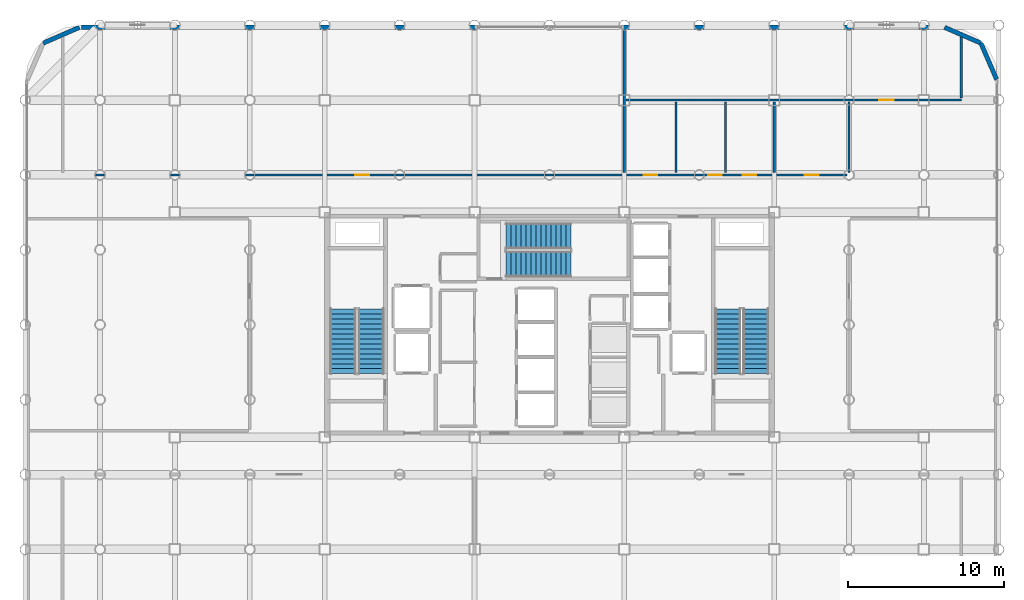
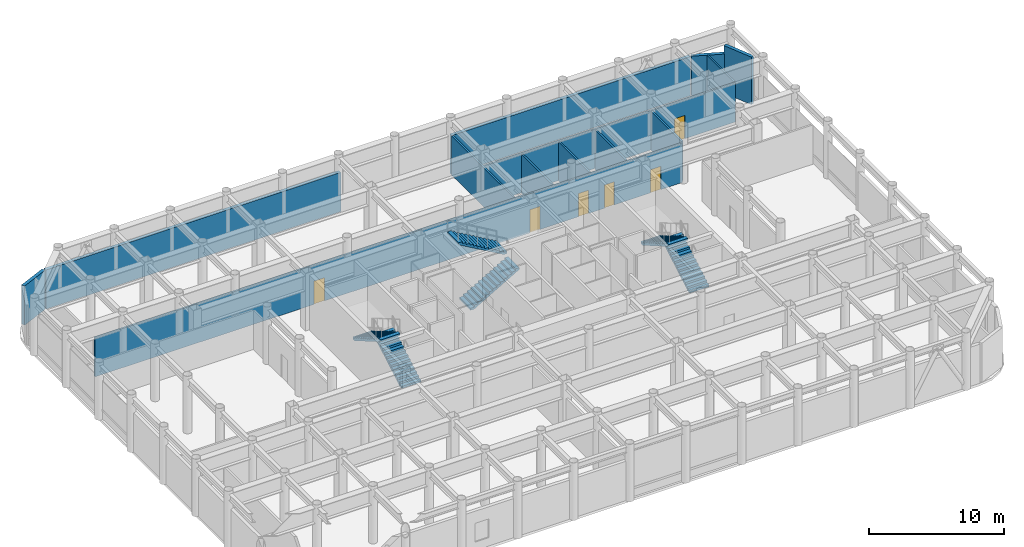
# One storey, part 18 of 20: 13 walls, 6 doors, 6 stair flights, 6 openings, 3 elements without a shape of their own.
"""IFC4 building model written with IfcOpenShell, lengths in metres."""

from ifc_helpers import new_model, si_unit, direction, frame, frame_2d, origin, place, context, subcontext, project, spatial, polyline, rectangle, outline, extrude, material, layer, layer_set, type_object, element, fill, aggregate, save


model = new_model("IFC4")

# Units and contexts
model_context = context("Model", 3, precision=1e-05, world=origin(), true_north=direction((0.0, 1.0)))
body_context = subcontext(model_context, "Body", "Model", "MODEL_VIEW")
ifc_project = project(units=[si_unit("LENGTHUNIT", "METRE"), si_unit("AREAUNIT", "SQUARE_METRE"), si_unit("VOLUMEUNIT", "CUBIC_METRE"), si_unit("PLANEANGLEUNIT", "RADIAN"), si_unit("MASSUNIT", "GRAM", prefix="KILO")], contexts=[model_context])

# Site, building, storey
site_placement = place(None, origin())
site = spatial("IfcSite", under=ifc_project, at=site_placement, CompositionType="ELEMENT")
building_placement = place(site_placement, origin())
building = spatial("IfcBuilding", under=site, at=building_placement, Name="Kallvorn Hotel Tower", CompositionType="ELEMENT")
storey_placement = place(building_placement, frame((0.0, 0.0, 180.300048828125)))
storey = spatial("IfcBuildingStorey", under=building, at=storey_placement, Name="L45", CompositionType="ELEMENT", Elevation=180.300048828125)

# Walls
ifc_material_1 = material(Name="Precast basalt-clad insulated concrete wall C40/50", Category="masonry")
ifc_layer_1 = layer(ifc_material_1, 0.280029296875)
ifc_layer_set_1 = layer_set([ifc_layer_1], Name="WL_EXT_LOGGIA_280")
wall_type_1 = type_object("IfcWallType", Name="WL_EXT_LOGGIA_280", PredefinedType="SOLIDWALL", material=ifc_layer_set_1)
wall_1_placement = place(storey_placement, frame((28.657958984375, 15.720703125, 0.0), z_axis=(0.0, 0.0, 1.0), x_axis=(-0.398792985289, 0.917040977756, 0.0)))
element("IfcWall", 1, at=wall_1_placement, inside=storey, type_object=wall_type_1, Name="L45 Rounded Corner Exterior Wall NE1", PredefinedType="SOLIDWALL", context=body_context, shape_type="SweptSolid", body=[
    extrude(rectangle(XDim=2.536376953125, YDim=0.280029296875, at=frame_2d((1.26806640625, 0.0))), origin(), (0.0, 0.0, 1.0), 4.300048828125),
])
for number, where, z_axis, x_axis, name in (
    (2, (27.646484375, 18.046630859375, 0.0), (0.0, 0.0, 1.0), (-0.917060872934, 0.398747232384, 0.0), "L45 Rounded Corner Exterior Wall NE2"),
    (3, (-30.120849609375, 19.057861328125, 0.0), (0.0, 0.0, 1.0), (-0.917060872934, -0.398747232384, 0.0), "L45 Rounded Corner Exterior Wall NW1"),
):
    element("IfcWall", number, at=place(storey_placement, frame(where, z_axis=z_axis, x_axis=x_axis)), inside=storey, type_object=wall_type_1, Name=name, PredefinedType="SOLIDWALL", context=body_context, shape_type="SweptSolid", body=[
        extrude(rectangle(XDim=2.5361328125, YDim=0.280029296875, at=frame_2d((1.26806640625, 0.0))), origin(), (0.0, 0.0, 1.0), 3.550048828125),
    ])
wall_2_placement = place(storey_placement, frame((-30.0, 19.06005859375, 0.0), z_axis=(0.0, 0.0, 1.0), x_axis=(1.0, 0.0, 0.0)))
element("IfcWall", 4, at=wall_2_placement, inside=storey, type_object=wall_type_1, Name="L45 Exterior Envelope Wall EW-L45-NW", PredefinedType="SOLIDWALL", context=body_context, shape_type="SweptSolid", body=[
    extrude(rectangle(XDim=25.25, YDim=0.280029296875, at=frame_2d((12.625, 0.0))), origin(), (0.0, 0.0, 1.0), 3.550048828125),
])
wall_3_placement = place(storey_placement, frame((4.75, 19.06005859375, 0.0), z_axis=(0.0, 0.0, 1.0), x_axis=(1.0, 0.0, 0.0)))
element("IfcWall", 5, at=wall_3_placement, inside=storey, type_object=wall_type_1, Name="L45 Exterior Envelope Wall EW-L45-NE", PredefinedType="SOLIDWALL", context=body_context, shape_type="SweptSolid", body=[
    extrude(rectangle(XDim=20.449951171875, YDim=0.280029296875, at=frame_2d((10.22509765625, 0.0))), origin(), (0.0, 0.0, 1.0), 3.550048828125),
])

# Wall, openings, doors
ifc_material_2 = material(Name="Fire-rated double-layer acoustic gypsum drywall EI 60")
ifc_layer_2 = layer(ifc_material_2, 0.14990234375)
ifc_layer_set_2 = layer_set([ifc_layer_2], Name="WL_PART_150")
wall_type_2 = type_object("IfcWallType", Name="WL_PART_150", PredefinedType="PARTITIONING", material=ifc_layer_set_2)
wall_4_placement = place(storey_placement, frame((-31.199951171875, 9.60009765625, 0.0), z_axis=(0.0, 0.0, 1.0), x_axis=(1.0, 0.0, 0.0)))
wall_4 = element("IfcWall", 6, at=wall_4_placement, inside=storey, type_object=wall_type_2, Name="L45 Executive Club Library and Conference Hall Partition", PredefinedType="PARTITIONING", context=body_context, shape_type="SweptSolid", body=[
    extrude(rectangle(XDim=50.280029296875, YDim=0.14990234375, at=frame_2d((25.14013671875, 0.0))), origin(), (0.0, 0.0, 1.0), 3.550048828125),
])
opening_1_placement = place(wall_4_placement, frame((18.75, 0.0, 0.0)))
opening_1 = element("IfcOpeningElement", 7, at=opening_1_placement, cuts=wall_4, Name="Opening SVD1", PredefinedType="OPENING", context=body_context, shape_type="SweptSolid", body=[
    extrude(rectangle(XDim=0.89990234375, YDim=2.10009765625, at=frame_2d((0.449951171875, 1.050048828125))), frame((0.0, 0.08984375, 0.0), z_axis=(0.0, -1.0, 0.0), x_axis=(1.0, 0.0, 0.0)), (0.0, 0.0, 1.0), 0.179931640625),
])
opening_2_placement = place(wall_4_placement, frame((37.240966796875, 0.0, 0.0)))
opening_2 = element("IfcOpeningElement", 8, at=opening_2_placement, cuts=wall_4, Name="Opening BD-I", PredefinedType="OPENING", context=body_context, shape_type="SweptSolid", body=[
    extrude(rectangle(XDim=0.860107421875, YDim=2.10009765625, at=frame_2d((0.43017578125, 1.050048828125))), frame((0.0, 0.08984375, 0.0), z_axis=(0.0, -1.0, 0.0), x_axis=(1.0, 0.0, 0.0)), (0.0, 0.0, 1.0), 0.179931640625),
])
opening_3_placement = place(wall_4_placement, frame((41.385009765625, 0.0, 0.0)))
opening_3 = element("IfcOpeningElement", 9, at=opening_3_placement, cuts=wall_4, Name="Opening BD-I", PredefinedType="OPENING", context=body_context, shape_type="SweptSolid", body=[
    extrude(rectangle(XDim=0.860107421875, YDim=2.10009765625, at=frame_2d((0.43017578125, 1.050048828125))), frame((0.0, 0.08984375, 0.0), z_axis=(0.0, -1.0, 0.0), x_axis=(1.0, 0.0, 0.0)), (0.0, 0.0, 1.0), 0.179931640625),
])
opening_4_placement = place(wall_4_placement, frame((43.592041015625, 0.0, 0.0)))
opening_4 = element("IfcOpeningElement", 10, at=opening_4_placement, cuts=wall_4, Name="Opening BD-I", PredefinedType="OPENING", context=body_context, shape_type="SweptSolid", body=[
    extrude(rectangle(XDim=0.860107421875, YDim=2.10009765625, at=frame_2d((0.43017578125, 1.050048828125))), frame((0.0, 0.08984375, 0.0), z_axis=(0.0, -1.0, 0.0), x_axis=(1.0, 0.0, 0.0)), (0.0, 0.0, 1.0), 0.179931640625),
])
opening_5_placement = place(wall_4_placement, frame((47.550048828125, 0.0, 0.0)))
opening_5 = element("IfcOpeningElement", 11, at=opening_5_placement, cuts=wall_4, Name="Opening SVD1", PredefinedType="OPENING", context=body_context, shape_type="SweptSolid", body=[
    extrude(rectangle(XDim=0.89990234375, YDim=2.10009765625, at=frame_2d((0.449951171875, 1.050048828125))), frame((0.0, 0.08984375, 0.0), z_axis=(0.0, -1.0, 0.0), x_axis=(1.0, 0.0, 0.0)), (0.0, 0.0, 1.0), 0.179931640625),
])
ifc_material_3 = material(Name="Solid-core walnut veneer fire-rated timber door leaf", Category="wood")
door_type_1 = type_object("IfcDoorType", Name="DR_BATH_860x2100", OperationType="NOTDEFINED", PredefinedType="DOOR", material=ifc_material_3)
door_1_placement = place(opening_2_placement, origin())
door_1 = element("IfcDoor", 12, at=door_1_placement, inside=storey, type_object=door_type_1, Name="L45 Public Male Restroom WC Door", OperationType="SINGLE_SWING_LEFT", OverallHeight=2.10009765625, OverallWidth=0.860107421875, PredefinedType="DOOR", context=body_context, shape_type="SweptSolid", body=[
    extrude(rectangle(XDim=0.860107421875, YDim=2.10009765625, at=frame_2d((0.43017578125, 1.050048828125))), frame((0.0, 0.02490234375, 0.0), z_axis=(0.0, -1.0, 0.0), x_axis=(1.0, 0.0, 0.0)), (0.0, 0.0, 1.0), 0.050048828125),
])
fill(opening_2, door_1)
door_2_placement = place(opening_3_placement, origin())
door_2 = element("IfcDoor", 13, at=door_2_placement, inside=storey, type_object=door_type_1, Name="L45 Public Female Restroom WC Door", OperationType="SINGLE_SWING_RIGHT", OverallHeight=2.10009765625, OverallWidth=0.860107421875, PredefinedType="DOOR", context=body_context, shape_type="SweptSolid", body=[
    extrude(rectangle(XDim=0.860107421875, YDim=2.10009765625, at=frame_2d((0.43017578125, 1.050048828125))), frame((0.0, 0.02490234375, 0.0), z_axis=(0.0, -1.0, 0.0), x_axis=(1.0, 0.0, 0.0)), (0.0, 0.0, 1.0), 0.050048828125),
])
fill(opening_3, door_2)
door_3_placement = place(opening_4_placement, origin())
door_3 = element("IfcDoor", 14, at=door_3_placement, inside=storey, type_object=door_type_1, Name="L45 Accessible Restroom WC Door", OperationType="SINGLE_SWING_RIGHT", OverallHeight=2.10009765625, OverallWidth=0.860107421875, PredefinedType="DOOR", context=body_context, shape_type="SweptSolid", body=[
    extrude(rectangle(XDim=0.860107421875, YDim=2.10009765625, at=frame_2d((0.43017578125, 1.050048828125))), frame((0.0, 0.02490234375, 0.0), z_axis=(0.0, -1.0, 0.0), x_axis=(1.0, 0.0, 0.0)), (0.0, 0.0, 1.0), 0.050048828125),
])
fill(opening_4, door_3)
ifc_material_4 = material(Name="Galvanised painted steel fire-rated door assembly", Category="steel")
door_type_2 = type_object("IfcDoorType", Name="DR_SERV_900x2100", OperationType="NOTDEFINED", PredefinedType="DOOR", material=ifc_material_4)
door_4_placement = place(opening_1_placement, origin())
door_4 = element("IfcDoor", 15, at=door_4_placement, inside=storey, type_object=door_type_2, Name="L45 Executive Club Library and Conference Hall Door", OperationType="SINGLE_SWING_RIGHT", OverallHeight=2.10009765625, OverallWidth=0.89990234375, PredefinedType="DOOR", context=body_context, shape_type="SweptSolid", body=[
    extrude(rectangle(XDim=0.89990234375, YDim=2.10009765625, at=frame_2d((0.449951171875, 1.050048828125))), frame((0.0, 0.02490234375, 0.0), z_axis=(0.0, -1.0, 0.0), x_axis=(1.0, 0.0, 0.0)), (0.0, 0.0, 1.0), 0.050048828125),
])
fill(opening_1, door_4)
door_5_placement = place(opening_5_placement, origin())
door_5 = element("IfcDoor", 16, at=door_5_placement, inside=storey, type_object=door_type_2, Name="L45 Central Sky Bar Catering Kitchen Door", OperationType="SINGLE_SWING_LEFT", OverallHeight=2.10009765625, OverallWidth=0.89990234375, PredefinedType="DOOR", context=body_context, shape_type="SweptSolid", body=[
    extrude(rectangle(XDim=0.89990234375, YDim=2.10009765625, at=frame_2d((0.449951171875, 1.050048828125))), frame((0.0, 0.02490234375, 0.0), z_axis=(0.0, -1.0, 0.0), x_axis=(1.0, 0.0, 0.0)), (0.0, 0.0, 1.0), 0.050048828125),
])
fill(opening_5, door_5)

# Wall, opening, door
wall_5_placement = place(storey_placement, frame((4.919921875, 14.39990234375, 0.0), z_axis=(0.0, 0.0, 1.0), x_axis=(1.0, 0.0, 0.0)))
wall_5 = element("IfcWall", 17, at=wall_5_placement, inside=storey, type_object=wall_type_2, Name="L45 Sky Bar Wine and Glassware Store Partition", PredefinedType="PARTITIONING", context=body_context, shape_type="SweptSolid", body=[
    extrude(rectangle(XDim=21.47998046875, YDim=0.14990234375, at=frame_2d((10.739990234375, 0.0))), origin(), (0.0, 0.0, 1.0), 3.550048828125),
])
opening_6_placement = place(wall_5_placement, frame((16.22998046875, 0.0, 0.0)))
opening_6 = element("IfcOpeningElement", 18, at=opening_6_placement, cuts=wall_5, Name="Opening SVD1", PredefinedType="OPENING", context=body_context, shape_type="SweptSolid", body=[
    extrude(rectangle(XDim=0.89990234375, YDim=2.10009765625, at=frame_2d((0.449951171875, 1.050048828125))), frame((0.0, 0.08984375, 0.0), z_axis=(0.0, -1.0, 0.0), x_axis=(1.0, 0.0, 0.0)), (0.0, 0.0, 1.0), 0.179931640625),
])
door_6_placement = place(opening_6_placement, origin())
door_6 = element("IfcDoor", 19, at=door_6_placement, inside=storey, type_object=door_type_2, Name="L45 Sky Bar Wine and Glassware Store Door", OperationType="SINGLE_SWING_LEFT", OverallHeight=2.10009765625, OverallWidth=0.89990234375, PredefinedType="DOOR", context=body_context, shape_type="SweptSolid", body=[
    extrude(rectangle(XDim=0.89990234375, YDim=2.10009765625, at=frame_2d((0.449951171875, 1.050048828125))), frame((0.0, 0.02490234375, 0.0), z_axis=(0.0, -1.0, 0.0), x_axis=(1.0, 0.0, 0.0)), (0.0, 0.0, 1.0), 0.050048828125),
])
fill(opening_6, door_6)

# Walls
wall_6_placement = place(storey_placement, frame((4.800048828125, 9.75, 0.0), z_axis=(0.0, 0.0, 1.0), x_axis=(0.0, 1.0, 0.0)))
element("IfcWall", 20, at=wall_6_placement, inside=storey, type_object=wall_type_2, Name="L45 Executive Club Library and Conference Hall Partition", PredefinedType="PARTITIONING", context=body_context, shape_type="SweptSolid", body=[
    extrude(rectangle(XDim=9.159912109375, YDim=0.14990234375, at=frame_2d((4.580078125, 0.0))), origin(), (0.0, 0.0, 1.0), 3.550048828125),
])
for number, where, z_axis, x_axis, name in (
    (21, (14.39990234375, 9.75, 0.0), (0.0, 0.0, 1.0), (0.0, 1.0, 0.0), "L45 Central Sky Bar Catering Kitchen Partition"),
    (22, (19.199951171875, 9.75, 0.0), (0.0, 0.0, 1.0), (0.0, 1.0, 0.0), "L45 Central Sky Bar Catering Kitchen Partition"),
):
    element("IfcWall", number, at=place(storey_placement, frame(where, z_axis=z_axis, x_axis=x_axis)), inside=storey, type_object=wall_type_2, Name=name, PredefinedType="PARTITIONING", context=body_context, shape_type="SweptSolid", body=[
        extrude(rectangle(XDim=4.530029296875, YDim=0.14990234375, at=frame_2d((2.26513671875, 0.0))), origin(), (0.0, 0.0, 1.0), 3.550048828125),
    ])
wall_7_placement = place(storey_placement, frame((26.39990234375, 14.52001953125, 0.0), z_axis=(0.0, 0.0, 1.0), x_axis=(0.0, 1.0, 0.0)))
element("IfcWall", 23, at=wall_7_placement, inside=storey, type_object=wall_type_2, Name="L45 Sky Bar Wine and Glassware Store Partition", PredefinedType="PARTITIONING", context=body_context, shape_type="SweptSolid", body=[
    extrude(rectangle(XDim=3.918701171875, YDim=0.14990234375, at=frame_2d((1.95947265625, 0.0))), origin(), (0.0, 0.0, 1.0), 3.550048828125),
])
ifc_material_5 = material(Name="Moisture-resistant acoustic plumbing chase wall EI 60")
ifc_layer_3 = layer(ifc_material_5, 0.139892578125)
ifc_layer_set_3 = layer_set([ifc_layer_3], Name="WL_PLUMB_140")
wall_type_3 = type_object("IfcWallType", Name="WL_PLUMB_140", PredefinedType="PLUMBINGWALL", material=ifc_layer_set_3)
for number, where, z_axis, x_axis, name in (
    (24, (8.10205078125, 9.75, 0.0), (0.0, 0.0, 1.0), (0.0, 1.0, 0.0), "L45 Public Female Restroom WC Partition"),
    (25, (11.284912109375, 9.75, 0.0), (0.0, 0.0, 1.0), (0.0, 1.0, 0.0), "L45 Accessible Restroom WC Partition"),
):
    element("IfcWall", number, at=place(storey_placement, frame(where, z_axis=z_axis, x_axis=x_axis)), inside=storey, type_object=wall_type_3, Name=name, PredefinedType="PLUMBINGWALL", context=body_context, shape_type="SweptSolid", body=[
        extrude(rectangle(XDim=4.530029296875, YDim=0.139892578125, at=frame_2d((2.26513671875, 0.0))), origin(), (0.0, 0.0, 1.0), 3.550048828125),
    ])

# Stair, stair flights
ifc_material_6 = material(Name="Precast concrete C40/50", Category="concrete")
stair_type = type_object("IfcStairType", Name="STR_CORE_DOGLEG", PredefinedType="HALF_TURN_STAIR", material=ifc_material_6)
stair_1_placement = place(storey_placement, origin())
stair_1 = element("IfcStair", 26, at=stair_1_placement, inside=storey, type_object=stair_type, Name="L45 Exit stair ST1", PredefinedType="HALF_TURN_STAIR")
ifc_material_7 = material(Name="Precast concrete C40/50", Category="concrete")
stair_flight_type = type_object("IfcStairFlightType", Name="FLT_CORE_1660", PredefinedType="STRAIGHT", material=ifc_material_7)
stair_flight_1_placement = place(storey_placement, frame((-11.429931640625, -3.139892578125, 0.0), z_axis=(0.0, 0.0, 1.0), x_axis=(0.0, 1.0, 0.0)))
stair_flight_1 = element("IfcStairFlight", 27, at=stair_flight_1_placement, type_object=stair_flight_type, Name="ST1 flight 1", NumberOfRisers=14, NumberOfTreads=13, PredefinedType="STRAIGHT", RiserHeight=0.185714286, TreadLength=0.32, context=body_context, shape_type="SweptSolid", body=[
    extrude(outline(polyline([(0.0, 0.0), (0.0, 0.185791015625), (0.320068359375, 0.185791015625), (0.320068359375, 0.371337890625), (0.639892578125, 0.371337890625), (0.639892578125, 0.55712890625), (0.9599609375, 0.55712890625), (0.9599609375, 0.742919921875), (1.280029296875, 0.742919921875), (1.280029296875, 0.928466796875), (1.60009765625, 0.928466796875), (1.60009765625, 1.1142578125), (1.919921875, 1.1142578125), (1.919921875, 1.300048828125), (2.239990234375, 1.300048828125), (2.239990234375, 1.485595703125), (2.56005859375, 1.485595703125), (2.56005859375, 1.67138671875), (2.8798828125, 1.67138671875), (2.8798828125, 1.857177734375), (3.199951171875, 1.857177734375), (3.199951171875, 2.04296875), (3.52001953125, 2.04296875), (3.52001953125, 2.228515625), (3.840087890625, 2.228515625), (3.840087890625, 2.414306640625), (4.159912109375, 2.414306640625), (4.159912109375, 2.60009765625), (4.159912109375, 2.240966796875), (0.298583984375, 0.0), (0.0, 0.0)])), frame((0.0, 0.830078125, 0.0), z_axis=(0.0, -1.0, 0.0), x_axis=(1.0, 0.0, 0.0)), (0.0, 0.0, 1.0), 1.659912109375),
])
stair_flight_2_placement = place(storey_placement, frame((-13.22998046875, 1.02001953125, 2.599853515625), z_axis=(0.0, 0.0, 1.0), x_axis=(0.0, -1.0, 0.0)))
stair_flight_2 = element("IfcStairFlight", 28, at=stair_flight_2_placement, type_object=stair_flight_type, Name="ST1 flight 2", NumberOfRisers=14, NumberOfTreads=13, PredefinedType="STRAIGHT", RiserHeight=0.185714286, TreadLength=0.32, context=body_context, shape_type="SweptSolid", body=[
    extrude(outline(polyline([(0.0, 0.0), (0.0, 0.185791015625), (0.320068359375, 0.185791015625), (0.320068359375, 0.371337890625), (0.639892578125, 0.371337890625), (0.639892578125, 0.55712890625), (0.9599609375, 0.55712890625), (0.9599609375, 0.742919921875), (1.280029296875, 0.742919921875), (1.280029296875, 0.928466796875), (1.60009765625, 0.928466796875), (1.60009765625, 1.1142578125), (1.919921875, 1.1142578125), (1.919921875, 1.300048828125), (2.239990234375, 1.300048828125), (2.239990234375, 1.485595703125), (2.56005859375, 1.485595703125), (2.56005859375, 1.67138671875), (2.8798828125, 1.67138671875), (2.8798828125, 1.857177734375), (3.199951171875, 1.857177734375), (3.199951171875, 2.04296875), (3.52001953125, 2.04296875), (3.52001953125, 2.228515625), (3.840087890625, 2.228515625), (3.840087890625, 2.414306640625), (4.159912109375, 2.414306640625), (4.159912109375, 2.60009765625), (4.159912109375, 2.240966796875), (0.298583984375, 0.0), (0.0, 0.0)])), frame((0.0, 0.830078125, 0.0), z_axis=(0.0, -1.0, 0.0), x_axis=(1.0, 0.0, 0.0)), (0.0, 0.0, 1.0), 1.659912109375),
])
aggregate(stair_1, [stair_flight_1, stair_flight_2])

stair_2_placement = place(storey_placement, origin())
stair_2 = element("IfcStair", 29, at=stair_2_placement, inside=storey, type_object=stair_type, Name="L45 Exit stair ST2", PredefinedType="HALF_TURN_STAIR")
stair_flight_3_placement = place(storey_placement, frame((13.22998046875, -3.139892578125, 0.0), z_axis=(0.0, 0.0, 1.0), x_axis=(0.0, 1.0, 0.0)))
stair_flight_3 = element("IfcStairFlight", 30, at=stair_flight_3_placement, type_object=stair_flight_type, Name="ST2 flight 1", NumberOfRisers=14, NumberOfTreads=13, PredefinedType="STRAIGHT", RiserHeight=0.185714286, TreadLength=0.32, context=body_context, shape_type="SweptSolid", body=[
    extrude(outline(polyline([(0.0, 0.0), (0.0, 0.185791015625), (0.320068359375, 0.185791015625), (0.320068359375, 0.371337890625), (0.639892578125, 0.371337890625), (0.639892578125, 0.55712890625), (0.9599609375, 0.55712890625), (0.9599609375, 0.742919921875), (1.280029296875, 0.742919921875), (1.280029296875, 0.928466796875), (1.60009765625, 0.928466796875), (1.60009765625, 1.1142578125), (1.919921875, 1.1142578125), (1.919921875, 1.300048828125), (2.239990234375, 1.300048828125), (2.239990234375, 1.485595703125), (2.56005859375, 1.485595703125), (2.56005859375, 1.67138671875), (2.8798828125, 1.67138671875), (2.8798828125, 1.857177734375), (3.199951171875, 1.857177734375), (3.199951171875, 2.04296875), (3.52001953125, 2.04296875), (3.52001953125, 2.228515625), (3.840087890625, 2.228515625), (3.840087890625, 2.414306640625), (4.159912109375, 2.414306640625), (4.159912109375, 2.60009765625), (4.159912109375, 2.240966796875), (0.298583984375, 0.0), (0.0, 0.0)])), frame((0.0, 0.830078125, 0.0), z_axis=(0.0, -1.0, 0.0), x_axis=(1.0, 0.0, 0.0)), (0.0, 0.0, 1.0), 1.659912109375),
])
stair_flight_4_placement = place(storey_placement, frame((11.429931640625, 1.02001953125, 2.599853515625), z_axis=(0.0, 0.0, 1.0), x_axis=(0.0, -1.0, 0.0)))
stair_flight_4 = element("IfcStairFlight", 31, at=stair_flight_4_placement, type_object=stair_flight_type, Name="ST2 flight 2", NumberOfRisers=14, NumberOfTreads=13, PredefinedType="STRAIGHT", RiserHeight=0.185714286, TreadLength=0.32, context=body_context, shape_type="SweptSolid", body=[
    extrude(outline(polyline([(0.0, 0.0), (0.0, 0.185791015625), (0.320068359375, 0.185791015625), (0.320068359375, 0.371337890625), (0.639892578125, 0.371337890625), (0.639892578125, 0.55712890625), (0.9599609375, 0.55712890625), (0.9599609375, 0.742919921875), (1.280029296875, 0.742919921875), (1.280029296875, 0.928466796875), (1.60009765625, 0.928466796875), (1.60009765625, 1.1142578125), (1.919921875, 1.1142578125), (1.919921875, 1.300048828125), (2.239990234375, 1.300048828125), (2.239990234375, 1.485595703125), (2.56005859375, 1.485595703125), (2.56005859375, 1.67138671875), (2.8798828125, 1.67138671875), (2.8798828125, 1.857177734375), (3.199951171875, 1.857177734375), (3.199951171875, 2.04296875), (3.52001953125, 2.04296875), (3.52001953125, 2.228515625), (3.840087890625, 2.228515625), (3.840087890625, 2.414306640625), (4.159912109375, 2.414306640625), (4.159912109375, 2.60009765625), (4.159912109375, 2.240966796875), (0.298583984375, 0.0), (0.0, 0.0)])), frame((0.0, 0.830078125, 0.0), z_axis=(0.0, -1.0, 0.0), x_axis=(1.0, 0.0, 0.0)), (0.0, 0.0, 1.0), 1.659912109375),
])
aggregate(stair_2, [stair_flight_3, stair_flight_4])

stair_3_placement = place(storey_placement, origin())
stair_3 = element("IfcStair", 32, at=stair_3_placement, inside=storey, type_object=stair_type, Name="L45 Exit stair ST3", PredefinedType="HALF_TURN_STAIR")
stair_flight_5_placement = place(storey_placement, frame((-2.7900390625, 3.8798828125, 0.0), z_axis=(0.0, 0.0, 1.0), x_axis=(1.0, 0.0, 0.0)))
stair_flight_5 = element("IfcStairFlight", 33, at=stair_flight_5_placement, type_object=stair_flight_type, Name="ST3 flight 1", NumberOfRisers=14, NumberOfTreads=13, PredefinedType="STRAIGHT", RiserHeight=0.185714286, TreadLength=0.32, context=body_context, shape_type="SweptSolid", body=[
    extrude(outline(polyline([(0.0, 0.0), (0.0, 0.185791015625), (0.320068359375, 0.185791015625), (0.320068359375, 0.371337890625), (0.639892578125, 0.371337890625), (0.639892578125, 0.55712890625), (0.9599609375, 0.55712890625), (0.9599609375, 0.742919921875), (1.280029296875, 0.742919921875), (1.280029296875, 0.928466796875), (1.60009765625, 0.928466796875), (1.60009765625, 1.1142578125), (1.919921875, 1.1142578125), (1.919921875, 1.300048828125), (2.239990234375, 1.300048828125), (2.239990234375, 1.485595703125), (2.56005859375, 1.485595703125), (2.56005859375, 1.67138671875), (2.8798828125, 1.67138671875), (2.8798828125, 1.857177734375), (3.199951171875, 1.857177734375), (3.199951171875, 2.04296875), (3.52001953125, 2.04296875), (3.52001953125, 2.228515625), (3.840087890625, 2.228515625), (3.840087890625, 2.414306640625), (4.159912109375, 2.414306640625), (4.159912109375, 2.60009765625), (4.159912109375, 2.240966796875), (0.298583984375, 0.0), (0.0, 0.0)])), frame((0.0, 0.830078125, 0.0), z_axis=(0.0, -1.0, 0.0), x_axis=(1.0, 0.0, 0.0)), (0.0, 0.0, 1.0), 1.659912109375),
])
stair_flight_6_placement = place(storey_placement, frame((1.3701171875, 5.679931640625, 2.599853515625), z_axis=(0.0, 0.0, 1.0), x_axis=(-1.0, 0.0, 0.0)))
stair_flight_6 = element("IfcStairFlight", 34, at=stair_flight_6_placement, type_object=stair_flight_type, Name="ST3 flight 2", NumberOfRisers=14, NumberOfTreads=13, PredefinedType="STRAIGHT", RiserHeight=0.185714286, TreadLength=0.32, context=body_context, shape_type="SweptSolid", body=[
    extrude(outline(polyline([(0.0, 0.0), (0.0, 0.185791015625), (0.320068359375, 0.185791015625), (0.320068359375, 0.371337890625), (0.639892578125, 0.371337890625), (0.639892578125, 0.55712890625), (0.9599609375, 0.55712890625), (0.9599609375, 0.742919921875), (1.280029296875, 0.742919921875), (1.280029296875, 0.928466796875), (1.60009765625, 0.928466796875), (1.60009765625, 1.1142578125), (1.919921875, 1.1142578125), (1.919921875, 1.300048828125), (2.239990234375, 1.300048828125), (2.239990234375, 1.485595703125), (2.56005859375, 1.485595703125), (2.56005859375, 1.67138671875), (2.8798828125, 1.67138671875), (2.8798828125, 1.857177734375), (3.199951171875, 1.857177734375), (3.199951171875, 2.04296875), (3.52001953125, 2.04296875), (3.52001953125, 2.228515625), (3.840087890625, 2.228515625), (3.840087890625, 2.414306640625), (4.159912109375, 2.414306640625), (4.159912109375, 2.60009765625), (4.159912109375, 2.240966796875), (0.298583984375, 0.0), (0.0, 0.0)])), frame((0.0, 0.830078125, 0.0), z_axis=(0.0, -1.0, 0.0), x_axis=(1.0, 0.0, 0.0)), (0.0, 0.0, 1.0), 1.659912109375),
])
aggregate(stair_3, [stair_flight_5, stair_flight_6])

save(model, "model.ifc")
